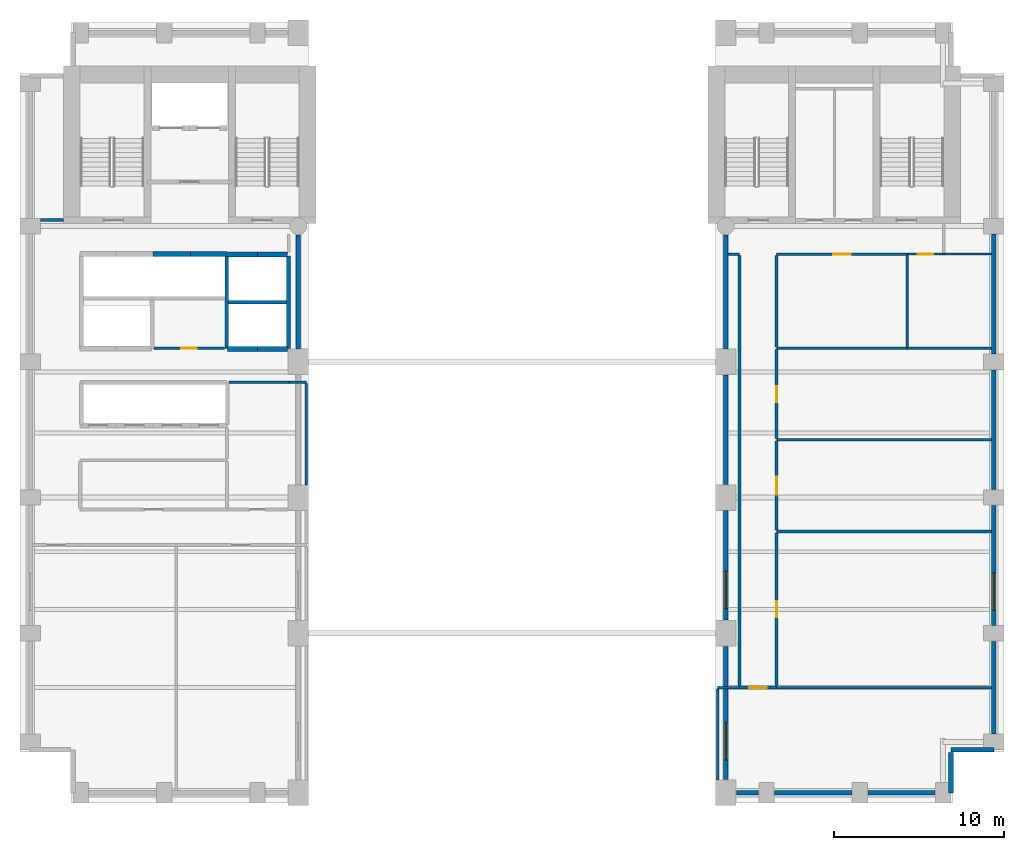
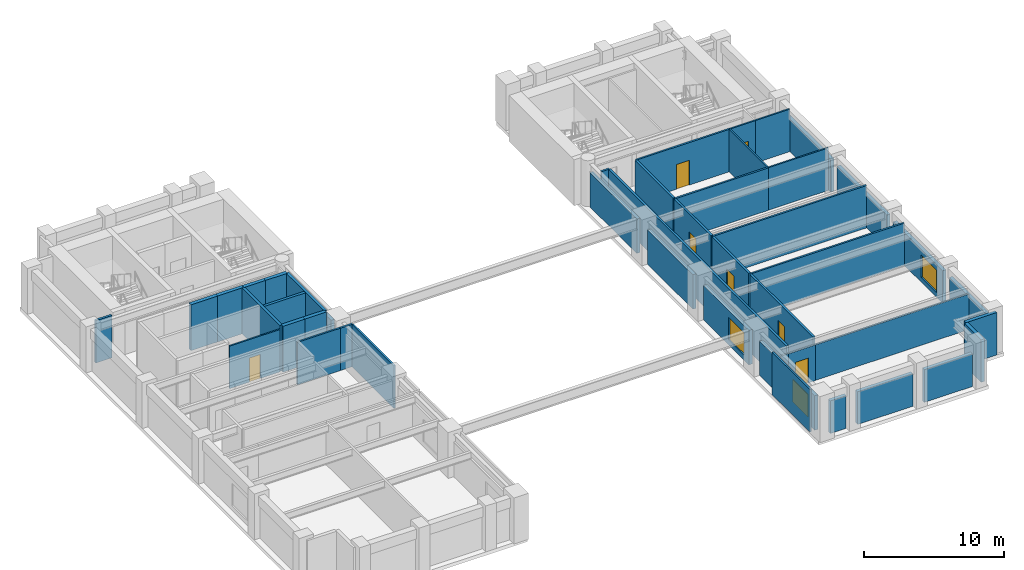
# One storey, part 3 of 7: 46 walls, 7 doors, 3 windows, 10 openings.
"""IFC4 building model written with IfcOpenShell, lengths in metres."""

from ifc_helpers import new_model, si_unit, direction, frame, frame_2d, origin, place, context, subcontext, project, spatial, rectangle, extrude, material, layer, layer_set, type_object, element, fill, save


model = new_model("IFC4")

# Units and contexts
model_context = context("Model", 3, precision=1e-05, world=origin(), true_north=direction((0.0, 1.0)))
body_context = subcontext(model_context, "Body", "Model", "MODEL_VIEW")
ifc_project = project(units=[si_unit("LENGTHUNIT", "METRE"), si_unit("AREAUNIT", "SQUARE_METRE"), si_unit("VOLUMEUNIT", "CUBIC_METRE"), si_unit("PLANEANGLEUNIT", "RADIAN"), si_unit("MASSUNIT", "GRAM", prefix="KILO")], contexts=[model_context])

# Site, building, storey
site_placement = place(None, origin())
site = spatial("IfcSite", under=ifc_project, at=site_placement, CompositionType="ELEMENT")
building_placement = place(site_placement, origin())
building = spatial("IfcBuilding", under=site, at=building_placement, Name="Sulina Concourse Tower", CompositionType="ELEMENT")
storey_placement = place(building_placement, frame((0.0, 0.0, 26.60009765625)))
storey = spatial("IfcBuildingStorey", under=building, at=storey_placement, Name="L06", CompositionType="ELEMENT", Elevation=26.60009765625)

# Walls
ifc_material_1 = material(Name="Concrete C50/60", Category="concrete")
ifc_layer_1 = layer(ifc_material_1, 0.219970703125)
ifc_layer_set_1 = layer_set([ifc_layer_1], Name="Concrete C50/60")
wall_type_1 = type_object("IfcWallType", Name="Core Lift Hoistway Divider Wall 220mm", PredefinedType="SOLIDWALL", material=ifc_layer_set_1)
for number, where, z_axis, x_axis, name in (
    (1, (12.179931640625, 26.800048828125, 0.0), (0.0, 0.0, 1.0), (0.0, 1.0, 0.0), "L06 shaft divider wall HW-LP2-W"),
    (2, (15.820068359375, 26.800048828125, 0.0), (0.0, 0.0, 1.0), (0.0, 1.0, 0.0), "L06 shaft divider wall HW-LP2-E"),
):
    element("IfcWall", number, at=place(storey_placement, frame(where, z_axis=z_axis, x_axis=x_axis)), inside=storey, type_object=wall_type_1, Name=name, PredefinedType="SOLIDWALL", context=body_context, shape_type="SweptSolid", body=[
        extrude(rectangle(XDim=5.449951171875, YDim=0.219970703125, at=frame_2d((2.72509765625, 0.0))), origin(), (0.0, 0.0, 1.0), 4.0),
    ])
wall_1_placement = place(storey_placement, frame((12.300048828125, 29.52001953125, 0.0), z_axis=(0.0, 0.0, 1.0), x_axis=(1.0, 0.0, 0.0)))
element("IfcWall", 3, at=wall_1_placement, inside=storey, type_object=wall_type_1, Name="L06 shaft divider wall HW-LP2-M", PredefinedType="SOLIDWALL", context=body_context, shape_type="SweptSolid", body=[
    extrude(rectangle(XDim=3.39990234375, YDim=0.219970703125, at=frame_2d((1.699951171875, 0.0))), origin(), (0.0, 0.0, 1.0), 4.0),
])
ifc_material_2 = material(Name="Concrete C50/60", Category="concrete")
ifc_layer_2 = layer(ifc_material_2, 0.300048828125)
ifc_layer_set_2 = layer_set([ifc_layer_2], Name="Concrete C50/60")
wall_type_2 = type_object("IfcWallType", Name="Core Lift Hoistway Wall 300mm", PredefinedType="SOLIDWALL", material=ifc_layer_set_2)
for number, where, z_axis, x_axis, name in (
    (4, (14.0, 26.75, 0.0), (0.0, 0.0, 1.0), (-1.0, 0.0, 0.0), "L06 hoistway enclosure wall LP-05"),
    (5, (15.780029296875, 26.75, 0.0), (0.0, 0.0, 1.0), (-1.0, 0.0, 0.0), "L06 hoistway enclosure wall LP-06"),
    (6, (12.219970703125, 32.320068359375, 0.0), (0.0, 0.0, 1.0), (1.0, 0.0, 0.0), "L06 hoistway enclosure wall LP-07"),
    (7, (14.0, 32.320068359375, 0.0), (0.0, 0.0, 1.0), (1.0, 0.0, 0.0), "L06 hoistway enclosure wall LP-08"),
):
    element("IfcWall", number, at=place(storey_placement, frame(where, z_axis=z_axis, x_axis=x_axis)), inside=storey, type_object=wall_type_2, Name=name, PredefinedType="SOLIDWALL", context=body_context, shape_type="SweptSolid", body=[
        extrude(rectangle(XDim=1.780029296875, YDim=0.300048828125, at=frame_2d((0.89013671875, 0.0))), origin(), (0.0, 0.0, 1.0), 4.0),
    ])
wall_2_placement = place(storey_placement, frame((7.85009765625, 32.35009765625, 0.0), z_axis=(0.0, 0.0, 1.0), x_axis=(1.0, 0.0, 0.0)))
element("IfcWall", 8, at=wall_2_placement, inside=storey, type_object=wall_type_2, Name="L06 hoistway enclosure wall LP-11", PredefinedType="SOLIDWALL", context=body_context, shape_type="SweptSolid", body=[
    extrude(rectangle(XDim=2.199951171875, YDim=0.300048828125, at=frame_2d((1.10009765625, 0.0))), origin(), (0.0, 0.0, 1.0), 4.0),
])
wall_3_placement = place(storey_placement, frame((10.050048828125, 32.35009765625, 0.0), z_axis=(0.0, 0.0, 1.0), x_axis=(1.0, 0.0, 0.0)))
element("IfcWall", 9, at=wall_3_placement, inside=storey, type_object=wall_type_2, Name="L06 hoistway enclosure wall LP-12", PredefinedType="SOLIDWALL", context=body_context, shape_type="SweptSolid", body=[
    extrude(rectangle(XDim=2.14990234375, YDim=0.300048828125, at=frame_2d((1.074951171875, 0.0))), origin(), (0.0, 0.0, 1.0), 4.0),
])
ifc_material_3 = material(Name="Gypsum board on steel stud", Category="steel")
ifc_layer_3 = layer(ifc_material_3, 0.14990234375)
ifc_layer_set_3 = layer_set([ifc_layer_3], Name="Gypsum board on steel stud")
wall_type_3 = type_object("IfcWallType", Name="Inter-Tenancy Acoustic Partition 150mm", PredefinedType="PARTITIONING", material=ifc_layer_set_3)
wall_4_placement = place(storey_placement, frame((41.1201171875, 6.800048828125, 0.0), z_axis=(0.0, 0.0, 1.0), x_axis=(1.0, 0.0, 0.0)))
element("IfcWall", 10, at=wall_4_placement, inside=storey, type_object=wall_type_3, Name="L06 interior partition 001", PredefinedType="PARTITIONING", context=body_context, shape_type="SweptSolid", body=[
    extrude(rectangle(XDim=1.27978515625, YDim=0.14990234375, at=frame_2d((0.639892578125, 0.0))), origin(), (0.0, 0.0, 1.0), 3.094970703125),
])
wall_5_placement = place(storey_placement, frame((44.60009765625, 6.800048828125, 0.0), z_axis=(0.0, 0.0, 1.0), x_axis=(1.0, 0.0, 0.0)))
element("IfcWall", 11, at=wall_5_placement, inside=storey, type_object=wall_type_3, Name="L06 interior partition 003", PredefinedType="PARTITIONING", context=body_context, shape_type="SweptSolid", body=[
    extrude(rectangle(XDim=12.659912109375, YDim=0.14990234375, at=frame_2d((6.330078125, 0.0))), origin(), (0.0, 0.0, 1.0), 3.094970703125),
])
for number, where, z_axis, x_axis, name in (
    (12, (44.60009765625, 16.0, 0.0), (0.0, 0.0, 1.0), (1.0, 0.0, 0.0), "L06 interior partition 007"),
    (13, (44.60009765625, 21.39990234375, 0.0), (0.0, 0.0, 1.0), (1.0, 0.0, 0.0), "L06 interior partition 011"),
):
    element("IfcWall", number, at=place(storey_placement, frame(where, z_axis=z_axis, x_axis=x_axis)), inside=storey, type_object=wall_type_3, Name=name, PredefinedType="PARTITIONING", context=body_context, shape_type="SweptSolid", body=[
        extrude(rectangle(XDim=12.659912109375, YDim=0.14990234375, at=frame_2d((6.330078125, 0.0))), origin(), (0.0, 0.0, 1.0), 3.699951171875),
    ])
wall_6_placement = place(storey_placement, frame((12.330078125, 24.800048828125, 0.0), z_axis=(0.0, 0.0, 1.0), x_axis=(1.0, 0.0, 0.0)))
element("IfcWall", 14, at=wall_6_placement, inside=storey, type_object=wall_type_3, Name="L06 interior partition 012", PredefinedType="PARTITIONING", context=body_context, shape_type="SweptSolid", body=[
    extrude(rectangle(XDim=3.52001953125, YDim=0.14990234375, at=frame_2d((1.760009765625, 0.0))), origin(), (0.0, 0.0, 1.0), 3.699951171875),
])
wall_7_placement = place(storey_placement, frame((15.85009765625, 24.800048828125, 0.0), z_axis=(0.0, 0.0, 1.0), x_axis=(1.0, 0.0, 0.0)))
element("IfcWall", 15, at=wall_7_placement, inside=storey, type_object=wall_type_3, Name="L06 interior partition 013", PredefinedType="PARTITIONING", context=body_context, shape_type="SweptSolid", body=[
    extrude(rectangle(XDim=1.02978515625, YDim=0.14990234375, at=frame_2d((0.514892578125, 0.0))), origin(), (0.0, 0.0, 1.0), 3.699951171875),
])
wall_8_placement = place(storey_placement, frame((44.60009765625, 26.800048828125, 0.0), z_axis=(0.0, 0.0, 1.0), x_axis=(1.0, 0.0, 0.0)))
element("IfcWall", 16, at=wall_8_placement, inside=storey, type_object=wall_type_3, Name="L06 interior partition 015", PredefinedType="PARTITIONING", context=body_context, shape_type="SweptSolid", body=[
    extrude(rectangle(XDim=7.699951171875, YDim=0.14990234375, at=frame_2d((3.85009765625, 0.0))), origin(), (0.0, 0.0, 1.0), 3.699951171875),
])
wall_9_placement = place(storey_placement, frame((41.739990234375, 32.35009765625, 0.0), z_axis=(0.0, 0.0, 1.0), x_axis=(1.0, 0.0, 0.0)))
element("IfcWall", 17, at=wall_9_placement, inside=storey, type_object=wall_type_3, Name="L06 interior partition 017", PredefinedType="PARTITIONING", context=body_context, shape_type="SweptSolid", body=[
    extrude(rectangle(XDim=0.659912109375, YDim=0.14990234375, at=frame_2d((0.330078125, 0.0))), origin(), (0.0, 0.0, 1.0), 3.699951171875),
])

# Wall, opening, door
wall_10_placement = place(storey_placement, frame((44.60009765625, 32.35009765625, 0.0), z_axis=(0.0, 0.0, 1.0), x_axis=(1.0, 0.0, 0.0)))
wall_10 = element("IfcWall", 18, at=wall_10_placement, inside=storey, type_object=wall_type_3, Name="L06 interior partition 018", PredefinedType="PARTITIONING", context=body_context, shape_type="SweptSolid", body=[
    extrude(rectangle(XDim=7.699951171875, YDim=0.14990234375, at=frame_2d((3.85009765625, 0.0))), origin(), (0.0, 0.0, 1.0), 3.699951171875),
])
opening_1_placement = place(wall_10_placement, frame((3.324951171875, 0.0, 0.0)))
opening_1 = element("IfcOpeningElement", 19, at=opening_1_placement, cuts=wall_10, Name="Opening DR-37", PredefinedType="OPENING", context=body_context, shape_type="SweptSolid", body=[
    extrude(rectangle(XDim=1.050048828125, YDim=2.14990234375, at=frame_2d((0.52490234375, 1.074951171875))), frame((0.0, 0.0849609375, 0.0), z_axis=(0.0, -1.0, 0.0), x_axis=(1.0, 0.0, 0.0)), (0.0, 0.0, 1.0), 0.169921875),
])
ifc_material_4 = material(Name="Oak-veneered fire door leaf")
ifc_layer_4 = layer(ifc_material_4, 0.050048828125)
ifc_layer_set_4 = layer_set([ifc_layer_4], Name="Oak-veneered fire door leaf")
door_type_1 = type_object("IfcDoorType", Name="Tenant Suite Entrance Fire Door 1050x2150", OperationType="NOTDEFINED", PredefinedType="DOOR", material=ifc_layer_set_4)
door_1_placement = place(opening_1_placement, origin())
door_1 = element("IfcDoor", 20, at=door_1_placement, inside=storey, type_object=door_type_1, Name="L06 interior door L06-REC-E1", OperationType="SINGLE_SWING_LEFT", OverallHeight=2.14990234375, OverallWidth=1.050048828125, PredefinedType="DOOR", context=body_context, shape_type="SweptSolid", body=[
    extrude(rectangle(XDim=1.050048828125, YDim=2.14990234375, at=frame_2d((0.52490234375, 1.074951171875))), frame((0.0, 0.02490234375, 0.0), z_axis=(0.0, -1.0, 0.0), x_axis=(1.0, 0.0, 0.0)), (0.0, 0.0, 1.0), 0.050048828125),
])
fill(opening_1, door_1)

# Walls
wall_11_placement = place(storey_placement, frame((16.8798828125, 18.75, 0.0), z_axis=(0.0, 0.0, 1.0), x_axis=(0.0, 1.0, 0.0)))
element("IfcWall", 21, at=wall_11_placement, inside=storey, type_object=wall_type_3, Name="L06 interior partition 032", PredefinedType="PARTITIONING", context=body_context, shape_type="SweptSolid", body=[
    extrude(rectangle(XDim=5.97509765625, YDim=0.14990234375, at=frame_2d((2.987548828125, 0.0))), origin(), (0.0, 0.0, 1.0), 3.699951171875),
])
wall_12_placement = place(storey_placement, frame((41.1201171875, 1.35009765625, 0.0), z_axis=(0.0, 0.0, 1.0), x_axis=(0.0, 1.0, 0.0)))
element("IfcWall", 22, at=wall_12_placement, inside=storey, type_object=wall_type_3, Name="L06 interior partition 033", PredefinedType="PARTITIONING", context=body_context, shape_type="SweptSolid", body=[
    extrude(rectangle(XDim=5.375, YDim=0.14990234375, at=frame_2d((2.6875, 0.0))), origin(), (0.0, 0.0, 1.0), 3.699951171875),
])

# Wall, opening, door
ifc_material_5 = material(Name="Gypsum board on steel stud", Category="steel")
ifc_layer_5 = layer(ifc_material_5, 0.179931640625)
ifc_layer_set_5 = layer_set([ifc_layer_5], Name="Gypsum board on steel stud")
wall_type_4 = type_object("IfcWallType", Name="Protected Corridor & Riser Partition 180mm", PredefinedType="PARTITIONING", material=ifc_layer_set_5)
wall_13_placement = place(storey_placement, frame((42.39990234375, 6.800048828125, 0.0), z_axis=(0.0, 0.0, 1.0), x_axis=(1.0, 0.0, 0.0)))
wall_13 = element("IfcWall", 23, at=wall_13_placement, inside=storey, type_object=wall_type_4, Name="L06 interior partition 002", PredefinedType="PARTITIONING", context=body_context, shape_type="SweptSolid", body=[
    extrude(rectangle(XDim=2.2001953125, YDim=0.179931640625, at=frame_2d((1.10009765625, 0.0))), origin(), (0.0, 0.0, 1.0), 3.094970703125),
])
opening_2_placement = place(wall_13_placement, frame((0.574951171875, 0.0, 0.0)))
opening_2 = element("IfcOpeningElement", 24, at=opening_2_placement, cuts=wall_13, Name="Opening DR-37", PredefinedType="OPENING", context=body_context, shape_type="SweptSolid", body=[
    extrude(rectangle(XDim=1.050048828125, YDim=2.14990234375, at=frame_2d((0.52490234375, 1.074951171875))), frame((0.0, 0.099853515625, 0.0), z_axis=(0.0, -1.0, 0.0), x_axis=(1.0, 0.0, 0.0)), (0.0, 0.0, 1.0), 0.199951171875),
])
door_2_placement = place(opening_2_placement, origin())
door_2 = element("IfcDoor", 25, at=door_2_placement, inside=storey, type_object=door_type_1, Name="L06 interior door L06-OFF-E1", OperationType="SINGLE_SWING_LEFT", OverallHeight=2.14990234375, OverallWidth=1.050048828125, PredefinedType="DOOR", context=body_context, shape_type="SweptSolid", body=[
    extrude(rectangle(XDim=1.050048828125, YDim=2.14990234375, at=frame_2d((0.52490234375, 1.074951171875))), frame((0.0, 0.02490234375, 0.0), z_axis=(0.0, -1.0, 0.0), x_axis=(1.0, 0.0, 0.0)), (0.0, 0.0, 1.0), 0.050048828125),
])
fill(opening_2, door_2)

# Walls
wall_14_placement = place(storey_placement, frame((1.199951171875, 34.35009765625, 0.0), z_axis=(0.0, 0.0, 1.0), x_axis=(1.0, 0.0, 0.0)))
element("IfcWall", 26, at=wall_14_placement, inside=storey, type_object=wall_type_4, Name="L06 interior partition 021", PredefinedType="PARTITIONING", context=body_context, shape_type="SweptSolid", body=[
    extrude(rectangle(XDim=1.35009765625, YDim=0.179931640625, at=frame_2d((0.675048828125, 0.0))), origin(), (0.0, 0.0, 1.0), 3.699951171875),
])
wall_15_placement = place(storey_placement, frame((42.39990234375, 6.889892578125, 0.0), z_axis=(0.0, 0.0, 1.0), x_axis=(0.0, 1.0, 0.0)))
element("IfcWall", 27, at=wall_15_placement, inside=storey, type_object=wall_type_4, Name="L06 interior partition 034", PredefinedType="PARTITIONING", context=body_context, shape_type="SweptSolid", body=[
    extrude(rectangle(XDim=25.385009765625, YDim=0.179931640625, at=frame_2d((12.6923828125, 0.0))), origin(), (0.0, 0.0, 1.0), 3.699951171875),
])

# Wall, opening, door
wall_16_placement = place(storey_placement, frame((44.60009765625, 6.889892578125, 0.0), z_axis=(0.0, 0.0, 1.0), x_axis=(0.0, 1.0, 0.0)))
wall_16 = element("IfcWall", 28, at=wall_16_placement, inside=storey, type_object=wall_type_4, Name="L06 interior partition 035", PredefinedType="PARTITIONING", context=body_context, shape_type="SweptSolid", body=[
    extrude(rectangle(XDim=9.03515625, YDim=0.179931640625, at=frame_2d((4.517578125, 0.0))), origin(), (0.0, 0.0, 1.0), 3.699951171875),
])
opening_3_placement = place(wall_16_placement, frame((4.04248046875, 0.0, 0.0)))
opening_3 = element("IfcOpeningElement", 29, at=opening_3_placement, cuts=wall_16, Name="Opening DR-19", PredefinedType="OPENING", context=body_context, shape_type="SweptSolid", body=[
    extrude(rectangle(XDim=0.949951171875, YDim=2.14990234375, at=frame_2d((0.47509765625, 1.074951171875))), frame((0.0, 0.099853515625, 0.0), z_axis=(0.0, -1.0, 0.0), x_axis=(1.0, 0.0, 0.0)), (0.0, 0.0, 1.0), 0.199951171875),
])
ifc_material_6 = material(Name="Oak-veneered acoustic timber leaf", Category="wood")
ifc_layer_6 = layer(ifc_material_6, 0.050048828125)
ifc_layer_set_6 = layer_set([ifc_layer_6], Name="Oak-veneered acoustic timber leaf")
door_type_2 = type_object("IfcDoorType", Name="Cellular Office & Meeting Door 950x2150", OperationType="NOTDEFINED", PredefinedType="DOOR", material=ifc_layer_set_6)
door_3_placement = place(opening_3_placement, origin())
door_3 = element("IfcDoor", 30, at=door_3_placement, inside=storey, type_object=door_type_2, Name="L06 interior door L06-MTG-E1", OperationType="SINGLE_SWING_LEFT", OverallHeight=2.14990234375, OverallWidth=0.949951171875, PredefinedType="DOOR", context=body_context, shape_type="SweptSolid", body=[
    extrude(rectangle(XDim=0.949951171875, YDim=2.14990234375, at=frame_2d((0.47509765625, 1.074951171875))), frame((0.0, 0.02490234375, 0.0), z_axis=(0.0, -1.0, 0.0), x_axis=(1.0, 0.0, 0.0)), (0.0, 0.0, 1.0), 0.050048828125),
])
fill(opening_3, door_3)

wall_17_placement = place(storey_placement, frame((44.60009765625, 16.074951171875, 0.0), z_axis=(0.0, 0.0, 1.0), x_axis=(0.0, 1.0, 0.0)))
wall_17 = element("IfcWall", 31, at=wall_17_placement, inside=storey, type_object=wall_type_4, Name="L06 interior partition 036", PredefinedType="PARTITIONING", context=body_context, shape_type="SweptSolid", body=[
    extrude(rectangle(XDim=5.25, YDim=0.179931640625, at=frame_2d((2.625, 0.0))), origin(), (0.0, 0.0, 1.0), 3.699951171875),
])
opening_4_placement = place(wall_17_placement, frame((2.10009765625, 0.0, 0.0)))
opening_4 = element("IfcOpeningElement", 32, at=opening_4_placement, cuts=wall_17, Name="Opening DR-37", PredefinedType="OPENING", context=body_context, shape_type="SweptSolid", body=[
    extrude(rectangle(XDim=1.050048828125, YDim=2.14990234375, at=frame_2d((0.52490234375, 1.074951171875))), frame((0.0, 0.099853515625, 0.0), z_axis=(0.0, -1.0, 0.0), x_axis=(1.0, 0.0, 0.0)), (0.0, 0.0, 1.0), 0.199951171875),
])
door_4_placement = place(opening_4_placement, origin())
door_4 = element("IfcDoor", 33, at=door_4_placement, inside=storey, type_object=door_type_1, Name="L06 interior door L06-PNT-E1", OperationType="SINGLE_SWING_RIGHT", OverallHeight=2.14990234375, OverallWidth=1.050048828125, PredefinedType="DOOR", context=body_context, shape_type="SweptSolid", body=[
    extrude(rectangle(XDim=1.050048828125, YDim=2.14990234375, at=frame_2d((0.52490234375, 1.074951171875))), frame((0.0, 0.02490234375, 0.0), z_axis=(0.0, -1.0, 0.0), x_axis=(1.0, 0.0, 0.0)), (0.0, 0.0, 1.0), 0.050048828125),
])
fill(opening_4, door_4)

wall_18_placement = place(storey_placement, frame((44.60009765625, 21.47509765625, 0.0), z_axis=(0.0, 0.0, 1.0), x_axis=(0.0, 1.0, 0.0)))
wall_18 = element("IfcWall", 34, at=wall_18_placement, inside=storey, type_object=wall_type_4, Name="L06 interior partition 037", PredefinedType="PARTITIONING", context=body_context, shape_type="SweptSolid", body=[
    extrude(rectangle(XDim=5.25, YDim=0.179931640625, at=frame_2d((2.625, 0.0))), origin(), (0.0, 0.0, 1.0), 3.699951171875),
])
opening_5_placement = place(wall_18_placement, frame((2.14990234375, 0.0, 0.0)))
opening_5 = element("IfcOpeningElement", 35, at=opening_5_placement, cuts=wall_18, Name="Opening DR-19", PredefinedType="OPENING", context=body_context, shape_type="SweptSolid", body=[
    extrude(rectangle(XDim=0.949951171875, YDim=2.14990234375, at=frame_2d((0.47509765625, 1.074951171875))), frame((0.0, 0.099853515625, 0.0), z_axis=(0.0, -1.0, 0.0), x_axis=(1.0, 0.0, 0.0)), (0.0, 0.0, 1.0), 0.199951171875),
])
door_5_placement = place(opening_5_placement, origin())
door_5 = element("IfcDoor", 36, at=door_5_placement, inside=storey, type_object=door_type_2, Name="L06 interior door L06-OFF-E4", OperationType="SINGLE_SWING_LEFT", OverallHeight=2.14990234375, OverallWidth=0.949951171875, PredefinedType="DOOR", context=body_context, shape_type="SweptSolid", body=[
    extrude(rectangle(XDim=0.949951171875, YDim=2.14990234375, at=frame_2d((0.47509765625, 1.074951171875))), frame((0.0, 0.02490234375, 0.0), z_axis=(0.0, -1.0, 0.0), x_axis=(1.0, 0.0, 0.0)), (0.0, 0.0, 1.0), 0.050048828125),
])
fill(opening_5, door_5)

# Walls
wall_19_placement = place(storey_placement, frame((44.60009765625, 26.875, 0.0), z_axis=(0.0, 0.0, 1.0), x_axis=(0.0, 1.0, 0.0)))
element("IfcWall", 37, at=wall_19_placement, inside=storey, type_object=wall_type_4, Name="L06 interior partition 038", PredefinedType="PARTITIONING", context=body_context, shape_type="SweptSolid", body=[
    extrude(rectangle(XDim=5.39990234375, YDim=0.179931640625, at=frame_2d((2.699951171875, 0.0))), origin(), (0.0, 0.0, 1.0), 3.699951171875),
])
ifc_material_7 = material(Name="Precast concrete C50/60", Category="concrete")
ifc_layer_7 = layer(ifc_material_7, 0.280029296875)
ifc_layer_set_7 = layer_set([ifc_layer_7], Name="Precast concrete C50/60")
wall_type_5 = type_object("IfcWallType", Name="Typical Precast Masonry-Frame Facade Wall 280mm", PredefinedType="SOLIDWALL", material=ifc_layer_set_7)
wall_20_placement = place(storey_placement, frame((43.530029296875, 0.60009765625, 0.0), z_axis=(0.0, 0.0, 1.0), x_axis=(-1.0, 0.0, 0.0)))
element("IfcWall", 38, at=wall_20_placement, inside=storey, type_object=wall_type_5, Name="L06 exterior precast wall S5", PredefinedType="SOLIDWALL", context=body_context, shape_type="SweptSolid", body=[
    extrude(rectangle(XDim=1.31005859375, YDim=0.280029296875, at=frame_2d((0.655029296875, 0.0))), origin(), (0.0, 0.0, 1.0), 2.849853515625),
])
wall_21_placement = place(storey_placement, frame((49.030029296875, 0.60009765625, 0.0), z_axis=(0.0, 0.0, 1.0), x_axis=(-1.0, 0.0, 0.0)))
element("IfcWall", 39, at=wall_21_placement, inside=storey, type_object=wall_type_5, Name="L06 exterior precast wall S6", PredefinedType="SOLIDWALL", context=body_context, shape_type="SweptSolid", body=[
    extrude(rectangle(XDim=4.56005859375, YDim=0.280029296875, at=frame_2d((2.280029296875, 0.0))), origin(), (0.0, 0.0, 1.0), 2.849853515625),
])
wall_22_placement = place(storey_placement, frame((53.929931640625, 0.60009765625, 0.0), z_axis=(0.0, 0.0, 1.0), x_axis=(-1.0, 0.0, 0.0)))
element("IfcWall", 40, at=wall_22_placement, inside=storey, type_object=wall_type_5, Name="L06 exterior precast wall S7", PredefinedType="SOLIDWALL", context=body_context, shape_type="SweptSolid", body=[
    extrude(rectangle(XDim=3.9599609375, YDim=0.280029296875, at=frame_2d((1.97998046875, 0.0))), origin(), (0.0, 0.0, 1.0), 2.849853515625),
])
wall_23_placement = place(storey_placement, frame((57.39990234375, 9.530029296875, 0.0), z_axis=(0.0, 0.0, 1.0), x_axis=(0.0, -1.0, 0.0)))
element("IfcWall", 41, at=wall_23_placement, inside=storey, type_object=wall_type_5, Name="L06 exterior precast wall E1", PredefinedType="SOLIDWALL", context=body_context, shape_type="SweptSolid", body=[
    extrude(rectangle(XDim=5.4599609375, YDim=0.280029296875, at=frame_2d((2.72998046875, 0.0))), origin(), (0.0, 0.0, 1.0), 2.849853515625),
])

# Wall, opening, window
wall_24_placement = place(storey_placement, frame((57.39990234375, 17.530029296875, 0.0), z_axis=(0.0, 0.0, 1.0), x_axis=(0.0, -1.0, 0.0)))
wall_24 = element("IfcWall", 42, at=wall_24_placement, inside=storey, type_object=wall_type_5, Name="L06 exterior precast wall E2", PredefinedType="SOLIDWALL", context=body_context, shape_type="SweptSolid", body=[
    extrude(rectangle(XDim=7.06005859375, YDim=0.280029296875, at=frame_2d((3.530029296875, 0.0))), origin(), (0.0, 0.0, 1.0), 2.849853515625),
])
opening_6_placement = place(wall_24_placement, frame((3.973388671875, 0.0, 0.419921875)))
opening_6 = element("IfcOpeningElement", 43, at=opening_6_placement, cuts=wall_24, Name="Opening WN-76", PredefinedType="OPENING", context=body_context, shape_type="SweptSolid", body=[
    extrude(rectangle(XDim=2.199951171875, YDim=1.949951171875, at=frame_2d((1.10009765625, 0.97509765625))), frame((0.0, 0.14990234375, 0.0), z_axis=(0.0, -1.0, 0.0), x_axis=(1.0, 0.0, 0.0)), (0.0, 0.0, 1.0), 0.300048828125),
])
ifc_material_8 = material(Name="Low-E solar double glazing in bronze aluminium", Category="aluminium")
window_type = type_object("IfcWindowType", Name="Recessed Spandrel Window 2200x1950", PartitioningType="DOUBLE_PANEL_VERTICAL", PredefinedType="WINDOW", material=ifc_material_8)
window_1_placement = place(opening_6_placement, origin())
window_1 = element("IfcWindow", 44, at=window_1_placement, inside=storey, type_object=window_type, Name="L06 punched window E2-1", OverallHeight=1.949951171875, OverallWidth=2.199951171875, PartitioningType="SINGLE_PANEL", PredefinedType="WINDOW", context=body_context, shape_type="SweptSolid", body=[
    extrude(rectangle(XDim=2.199951171875, YDim=1.949951171875, at=frame_2d((1.10009765625, 0.97509765625))), frame((0.0, 0.030029296875, 0.0), z_axis=(0.0, -1.0, 0.0), x_axis=(1.0, 0.0, 0.0)), (0.0, 0.0, 1.0), 0.06005859375),
])
fill(opening_6, window_1)

# Walls
for number, where, z_axis, x_axis, name in (
    (45, (57.39990234375, 25.530029296875, 0.0), (0.0, 0.0, 1.0), (0.0, -1.0, 0.0), "L06 exterior precast wall E3"),
    (46, (57.39990234375, 33.530029296875, 0.0), (0.0, 0.0, 1.0), (0.0, -1.0, 0.0), "L06 exterior precast wall E4"),
):
    element("IfcWall", number, at=place(storey_placement, frame(where, z_axis=z_axis, x_axis=x_axis)), inside=storey, type_object=wall_type_5, Name=name, PredefinedType="SOLIDWALL", context=body_context, shape_type="SweptSolid", body=[
        extrude(rectangle(XDim=7.06005859375, YDim=0.280029296875, at=frame_2d((3.530029296875, 0.0))), origin(), (0.0, 0.0, 1.0), 2.849853515625),
    ])
wall_25_placement = place(storey_placement, frame((57.39990234375, 3.1298828125, 0.0), z_axis=(0.0, 0.0, 1.0), x_axis=(-1.0, 0.0, 0.0)))
element("IfcWall", 47, at=wall_25_placement, inside=storey, type_object=wall_type_5, Name="L06 exterior precast wall CSE1", PredefinedType="SOLIDWALL", context=body_context, shape_type="SweptSolid", body=[
    extrude(rectangle(XDim=2.52978515625, YDim=0.280029296875, at=frame_2d((1.264892578125, 0.0))), origin(), (0.0, 0.0, 1.0), 3.699951171875),
])
wall_26_placement = place(storey_placement, frame((54.8701171875, 2.985107421875, 0.0), z_axis=(0.0, 0.0, 1.0), x_axis=(0.0, -1.0, 0.0)))
element("IfcWall", 48, at=wall_26_placement, inside=storey, type_object=wall_type_5, Name="L06 exterior precast wall CSE2", PredefinedType="SOLIDWALL", context=body_context, shape_type="SweptSolid", body=[
    extrude(rectangle(XDim=2.385009765625, YDim=0.280029296875, at=frame_2d((1.1923828125, 0.0))), origin(), (0.0, 0.0, 1.0), 3.699951171875),
])

# Wall, opening, window
wall_27_placement = place(storey_placement, frame((41.60009765625, 1.3701171875, 0.0), z_axis=(0.0, 0.0, 1.0), x_axis=(0.0, 1.0, 0.0)))
wall_27 = element("IfcWall", 49, at=wall_27_placement, inside=storey, type_object=wall_type_5, Name="L06 exterior precast wall PE1", PredefinedType="SOLIDWALL", context=body_context, shape_type="SweptSolid", body=[
    extrude(rectangle(XDim=7.85986328125, YDim=0.280029296875, at=frame_2d((3.929931640625, 0.0))), origin(), (0.0, 0.0, 1.0), 3.0),
])
opening_7_placement = place(wall_27_placement, frame((1.1533203125, 0.0, 0.419921875)))
opening_7 = element("IfcOpeningElement", 50, at=opening_7_placement, cuts=wall_27, Name="Opening WN-76", PredefinedType="OPENING", context=body_context, shape_type="SweptSolid", body=[
    extrude(rectangle(XDim=2.199951171875, YDim=1.949951171875, at=frame_2d((1.10009765625, 0.97509765625))), frame((0.0, 0.14990234375, 0.0), z_axis=(0.0, -1.0, 0.0), x_axis=(1.0, 0.0, 0.0)), (0.0, 0.0, 1.0), 0.300048828125),
])
window_2_placement = place(opening_7_placement, origin())
window_2 = element("IfcWindow", 51, at=window_2_placement, inside=storey, type_object=window_type, Name="L06 punched window PE1-1", OverallHeight=1.949951171875, OverallWidth=2.199951171875, PartitioningType="SINGLE_PANEL", PredefinedType="WINDOW", context=body_context, shape_type="SweptSolid", body=[
    extrude(rectangle(XDim=2.199951171875, YDim=1.949951171875, at=frame_2d((1.10009765625, 0.97509765625))), frame((0.0, 0.030029296875, 0.0), z_axis=(0.0, -1.0, 0.0), x_axis=(1.0, 0.0, 0.0)), (0.0, 0.0, 1.0), 0.06005859375),
])
fill(opening_7, window_2)

wall_28_placement = place(storey_placement, frame((41.60009765625, 10.77001953125, 0.0), z_axis=(0.0, 0.0, 1.0), x_axis=(0.0, 1.0, 0.0)))
wall_28 = element("IfcWall", 52, at=wall_28_placement, inside=storey, type_object=wall_type_5, Name="L06 exterior precast wall PE2", PredefinedType="SOLIDWALL", context=body_context, shape_type="SweptSolid", body=[
    extrude(rectangle(XDim=6.4599609375, YDim=0.280029296875, at=frame_2d((3.22998046875, 0.0))), origin(), (0.0, 0.0, 1.0), 3.0),
])
opening_8_placement = place(wall_28_placement, frame((0.686767578125, 0.0, 0.419921875)))
opening_8 = element("IfcOpeningElement", 53, at=opening_8_placement, cuts=wall_28, Name="Opening WN-76", PredefinedType="OPENING", context=body_context, shape_type="SweptSolid", body=[
    extrude(rectangle(XDim=2.199951171875, YDim=1.949951171875, at=frame_2d((1.10009765625, 0.97509765625))), frame((0.0, 0.14990234375, 0.0), z_axis=(0.0, -1.0, 0.0), x_axis=(1.0, 0.0, 0.0)), (0.0, 0.0, 1.0), 0.300048828125),
])
window_3_placement = place(opening_8_placement, origin())
window_3 = element("IfcWindow", 54, at=window_3_placement, inside=storey, type_object=window_type, Name="L06 punched window PE2-1", OverallHeight=1.949951171875, OverallWidth=2.199951171875, PartitioningType="SINGLE_PANEL", PredefinedType="WINDOW", context=body_context, shape_type="SweptSolid", body=[
    extrude(rectangle(XDim=2.199951171875, YDim=1.949951171875, at=frame_2d((1.10009765625, 0.97509765625))), frame((0.0, 0.030029296875, 0.0), z_axis=(0.0, -1.0, 0.0), x_axis=(1.0, 0.0, 0.0)), (0.0, 0.0, 1.0), 0.06005859375),
])
fill(opening_8, window_3)

# Walls
wall_29_placement = place(storey_placement, frame((41.60009765625, 18.77001953125, 0.0), z_axis=(0.0, 0.0, 1.0), x_axis=(0.0, 1.0, 0.0)))
element("IfcWall", 55, at=wall_29_placement, inside=storey, type_object=wall_type_5, Name="L06 exterior precast wall PE3", PredefinedType="SOLIDWALL", context=body_context, shape_type="SweptSolid", body=[
    extrude(rectangle(XDim=6.4599609375, YDim=0.280029296875, at=frame_2d((3.22998046875, 0.0))), origin(), (0.0, 0.0, 1.0), 3.0),
])
for number, where, z_axis, x_axis, name in (
    (56, (16.39990234375, 33.47998046875, 0.0), (0.0, 0.0, 1.0), (0.0, -1.0, 0.0), "L06 exterior precast wall PW4"),
    (57, (41.60009765625, 26.77001953125, 0.0), (0.0, 0.0, 1.0), (0.0, 1.0, 0.0), "L06 exterior precast wall PE4"),
):
    element("IfcWall", number, at=place(storey_placement, frame(where, z_axis=z_axis, x_axis=x_axis)), inside=storey, type_object=wall_type_5, Name=name, PredefinedType="SOLIDWALL", context=body_context, shape_type="SweptSolid", body=[
        extrude(rectangle(XDim=6.7099609375, YDim=0.280029296875, at=frame_2d((3.35498046875, 0.0))), origin(), (0.0, 0.0, 1.0), 3.0),
    ])

# Wall, opening, door
ifc_material_9 = material(Name="Gypsum board on steel stud", Category="steel")
ifc_layer_8 = layer(ifc_material_9, 0.125)
ifc_layer_set_8 = layer_set([ifc_layer_8], Name="Gypsum board on steel stud")
wall_type_6 = type_object("IfcWallType", Name="Wet-Area Moisture-Resistant Partition 125mm", PredefinedType="PARTITIONING", material=ifc_layer_set_8)
wall_30_placement = place(storey_placement, frame((7.889892578125, 26.800048828125, 0.0), z_axis=(0.0, 0.0, 1.0), x_axis=(1.0, 0.0, 0.0)))
wall_30 = element("IfcWall", 58, at=wall_30_placement, inside=storey, type_object=wall_type_6, Name="L06 interior partition 014", PredefinedType="PARTITIONING", context=body_context, shape_type="SweptSolid", body=[
    extrude(rectangle(XDim=4.16015625, YDim=0.125, at=frame_2d((2.080078125, 0.0))), origin(), (0.0, 0.0, 1.0), 3.699951171875),
])
opening_9_placement = place(wall_30_placement, frame((1.6201171875, 0.0, 0.0)))
opening_9 = element("IfcOpeningElement", 59, at=opening_9_placement, cuts=wall_30, Name="Opening DR-61", PredefinedType="OPENING", context=body_context, shape_type="SweptSolid", body=[
    extrude(rectangle(XDim=0.919921875, YDim=2.10009765625, at=frame_2d((0.4599609375, 1.050048828125))), frame((0.0, 0.072509765625, 0.0), z_axis=(0.0, -1.0, 0.0), x_axis=(1.0, 0.0, 0.0)), (0.0, 0.0, 1.0), 0.14501953125),
])
ifc_material_10 = material(Name="Oak-veneered fire door leaf")
ifc_layer_9 = layer(ifc_material_10, 0.050048828125)
ifc_layer_set_9 = layer_set([ifc_layer_9], Name="Oak-veneered fire door leaf")
door_type_3 = type_object("IfcDoorType", Name="Accessible WC Door 920x2100", OperationType="NOTDEFINED", PredefinedType="DOOR", material=ifc_layer_set_9)
door_6_placement = place(opening_9_placement, origin())
door_6 = element("IfcDoor", 60, at=door_6_placement, inside=storey, type_object=door_type_3, Name="L06 interior door L06-WC-ACC", OperationType="SINGLE_SWING_RIGHT", OverallHeight=2.10009765625, OverallWidth=0.919921875, PredefinedType="DOOR", context=body_context, shape_type="SweptSolid", body=[
    extrude(rectangle(XDim=0.919921875, YDim=2.10009765625, at=frame_2d((0.4599609375, 1.050048828125))), frame((0.0, 0.02490234375, 0.0), z_axis=(0.0, -1.0, 0.0), x_axis=(1.0, 0.0, 0.0)), (0.0, 0.0, 1.0), 0.050048828125),
])
fill(opening_9, door_6)

# Wall
wall_31_placement = place(storey_placement, frame((52.300048828125, 26.800048828125, 0.0), z_axis=(0.0, 0.0, 1.0), x_axis=(1.0, 0.0, 0.0)))
element("IfcWall", 61, at=wall_31_placement, inside=storey, type_object=wall_type_6, Name="L06 interior partition 016", PredefinedType="PARTITIONING", context=body_context, shape_type="SweptSolid", body=[
    extrude(rectangle(XDim=4.9599609375, YDim=0.125, at=frame_2d((2.47998046875, 0.0))), origin(), (0.0, 0.0, 1.0), 3.699951171875),
])

# Wall, opening, door
wall_32_placement = place(storey_placement, frame((52.300048828125, 32.35009765625, 0.0), z_axis=(0.0, 0.0, 1.0), x_axis=(1.0, 0.0, 0.0)))
wall_32 = element("IfcWall", 62, at=wall_32_placement, inside=storey, type_object=wall_type_6, Name="L06 interior partition 019", PredefinedType="PARTITIONING", context=body_context, shape_type="SweptSolid", body=[
    extrude(rectangle(XDim=2.14990234375, YDim=0.125, at=frame_2d((1.074951171875, 0.0))), origin(), (0.0, 0.0, 1.0), 3.699951171875),
])
opening_10_placement = place(wall_32_placement, frame((0.614990234375, 0.0, 0.0)))
opening_10 = element("IfcOpeningElement", 63, at=opening_10_placement, cuts=wall_32, Name="Opening DR-61", PredefinedType="OPENING", context=body_context, shape_type="SweptSolid", body=[
    extrude(rectangle(XDim=0.919921875, YDim=2.10009765625, at=frame_2d((0.4599609375, 1.050048828125))), frame((0.0, 0.072509765625, 0.0), z_axis=(0.0, -1.0, 0.0), x_axis=(1.0, 0.0, 0.0)), (0.0, 0.0, 1.0), 0.14501953125),
])
door_7_placement = place(opening_10_placement, origin())
door_7 = element("IfcDoor", 64, at=door_7_placement, inside=storey, type_object=door_type_3, Name="L06 interior door L06-WC-EA", OperationType="SINGLE_SWING_RIGHT", OverallHeight=2.10009765625, OverallWidth=0.919921875, PredefinedType="DOOR", context=body_context, shape_type="SweptSolid", body=[
    extrude(rectangle(XDim=0.919921875, YDim=2.10009765625, at=frame_2d((0.4599609375, 1.050048828125))), frame((0.0, 0.02490234375, 0.0), z_axis=(0.0, -1.0, 0.0), x_axis=(1.0, 0.0, 0.0)), (0.0, 0.0, 1.0), 0.050048828125),
])
fill(opening_10, door_7)

# Walls
wall_33_placement = place(storey_placement, frame((54.449951171875, 32.35009765625, 0.0), z_axis=(0.0, 0.0, 1.0), x_axis=(1.0, 0.0, 0.0)))
element("IfcWall", 65, at=wall_33_placement, inside=storey, type_object=wall_type_6, Name="L06 interior partition 020", PredefinedType="PARTITIONING", context=body_context, shape_type="SweptSolid", body=[
    extrude(rectangle(XDim=2.81005859375, YDim=0.125, at=frame_2d((1.405029296875, 0.0))), origin(), (0.0, 0.0, 1.0), 3.699951171875),
])
wall_34_placement = place(storey_placement, frame((52.300048828125, 26.875, 0.0), z_axis=(0.0, 0.0, 1.0), x_axis=(0.0, 1.0, 0.0)))
element("IfcWall", 66, at=wall_34_placement, inside=storey, type_object=wall_type_6, Name="L06 interior partition 040", PredefinedType="PARTITIONING", context=body_context, shape_type="SweptSolid", body=[
    extrude(rectangle(XDim=5.39990234375, YDim=0.125, at=frame_2d((2.699951171875, 0.0))), origin(), (0.0, 0.0, 1.0), 3.699951171875),
])

save(model, "model.ifc")
